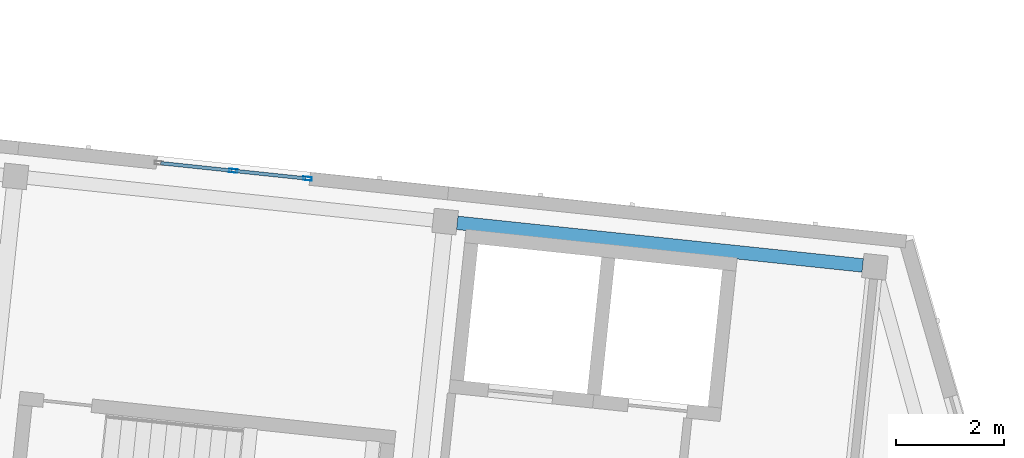
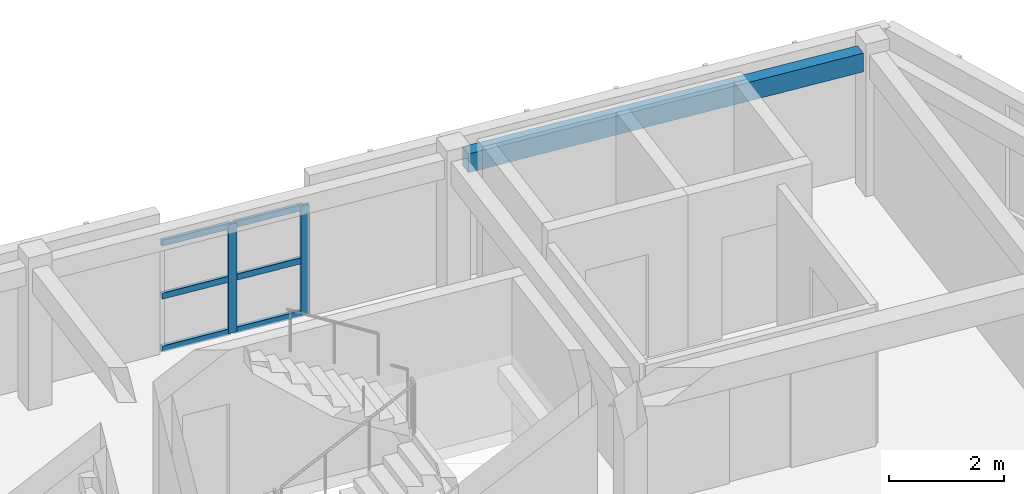
# One storey, part 16 of 64: 8 members, 1 beam, 1 element without a shape of its own.
"""IFC4 building model written with IfcOpenShell, lengths in metres."""

from ifc_helpers import new_model, si_unit, direction, frame, origin, origin_2d, place, context, subcontext, project, spatial, rectangle, hollow_rectangle, extrude, material, material_profile, profile_set, type_object, element, aggregate, save


model = new_model("IFC4")

# Units and contexts
model_context = context("Model", 3, precision=1e-05, world=origin(), true_north=direction((0.0, 1.0)))
body_context = subcontext(model_context, "Body", "Model", "MODEL_VIEW")
ifc_project = project(units=[si_unit("LENGTHUNIT", "METRE"), si_unit("AREAUNIT", "SQUARE_METRE"), si_unit("VOLUMEUNIT", "CUBIC_METRE"), si_unit("PLANEANGLEUNIT", "RADIAN"), si_unit("MASSUNIT", "GRAM", prefix="KILO")], contexts=[model_context])

# Site, building, storey
site_placement = place(None, origin())
site = spatial("IfcSite", under=ifc_project, at=site_placement, CompositionType="ELEMENT")
building_placement = place(site_placement, origin())
building = spatial("IfcBuilding", under=site, at=building_placement, Name="Kestramere Prow Commons", CompositionType="ELEMENT")
storey_placement = place(building_placement, frame((0.0, 0.0, 24.64990234375)))
storey = spatial("IfcBuildingStorey", under=building, at=storey_placement, Name="L07", CompositionType="ELEMENT", Elevation=24.64990234375)

# Curtain wall, members
ifc_material_1 = material(Name="Anodised Aluminium and Low-E Glass", Category="aluminium")
curtain_wall_type = type_object("IfcCurtainWallType", Name="CW-03 Glazed Curtain Wall 2830x2320", PredefinedType="USERDEFINED", material=ifc_material_1)
curtain_wall_placement = place(storey_placement, origin())
curtain_wall = element("IfcCurtainWall", 1, at=curtain_wall_placement, inside=storey, type_object=curtain_wall_type, Name="Block B L07 Stairwell Vertical Glazing 5", ObjectType="GLAZED CURTAIN WALL", PredefinedType="USERDEFINED")
ifc_material_2 = material(Name="Anodised Aluminium 6063-T6", Category="aluminium")
ifc_material_profile_1 = material_profile(ifc_material_2, hollow_rectangle(XDim=0.06494140625, YDim=0.159912109375, WallThickness=0.00390625, at=origin_2d()), Name="ALU-MUL 65x160")
ifc_profile_set_1 = profile_set([ifc_material_profile_1], Name="Anodised Aluminium 6063-T6")
member_type_1 = type_object("IfcMemberType", Name="CW-MUL-65x160", PredefinedType="MULLION", material=ifc_profile_set_1)
member_1_placement = place(storey_placement, frame((147.906494140625, 111.0517578125, 0.0), z_axis=(0.0, 0.0, 1.0), x_axis=(0.104528269348, 0.99452191575, 0.0)))
member_1 = element("IfcMember", 2, at=member_1_placement, type_object=member_type_1, Name="CW-03 mullion 2", PredefinedType="MULLION", context=body_context, shape_type="SweptSolid", body=[
    extrude(hollow_rectangle(XDim=0.06494140625, YDim=0.159912109375, WallThickness=0.00390625, at=origin_2d()), origin(), (0.0, 0.0, 1.0), 2.320068359375),
])
member_2_placement = place(storey_placement, frame((149.28125, 110.9072265625, 0.0), z_axis=(0.0, 0.0, 1.0), x_axis=(0.104528269348, 0.99452191575, 0.0)))
member_2 = element("IfcMember", 3, at=member_2_placement, type_object=member_type_1, Name="CW-03 mullion 3", PredefinedType="MULLION", context=body_context, shape_type="SweptSolid", body=[
    extrude(hollow_rectangle(XDim=0.06494140625, YDim=0.159912109375, WallThickness=0.00390625, at=origin_2d()), origin(), (0.0, 0.0, 1.0), 2.320068359375),
])
ifc_material_profile_2 = material_profile(ifc_material_2, hollow_rectangle(XDim=0.06494140625, YDim=0.1298828125, WallThickness=0.00390625, at=origin_2d()), Name="ALU-TRN 65x130")
ifc_profile_set_2 = profile_set([ifc_material_profile_2], Name="Anodised Aluminium 6063-T6")
member_type_2 = type_object("IfcMemberType", Name="CW-TRN-65x130", PredefinedType="USERDEFINED", material=ifc_profile_set_2)
member_3_placement = place(storey_placement, frame((146.563720703125, 111.19287109375, 0.03271484375), z_axis=(0.994523714271, -0.104511156111, 0.0), x_axis=(0.104511156111, 0.994523714271, 0.0)))
member_3 = element("IfcMember", 4, at=member_3_placement, type_object=member_type_2, Name="CW-03 transom 1.1", ObjectType="TRANSOM", PredefinedType="USERDEFINED", context=body_context, shape_type="SweptSolid", body=[
    extrude(hollow_rectangle(XDim=0.06494140625, YDim=0.1298828125, WallThickness=0.00390625, at=origin_2d()), origin(), (0.0, 0.0, 1.0), 1.317626953125),
])
member_4_placement = place(storey_placement, frame((146.563720703125, 111.19287109375, 1.16015625), z_axis=(0.994523714271, -0.104511156111, 0.0), x_axis=(0.104511156111, 0.994523714271, 0.0)))
member_4 = element("IfcMember", 5, at=member_4_placement, type_object=member_type_2, Name="CW-03 transom 1.2", ObjectType="TRANSOM", PredefinedType="USERDEFINED", context=body_context, shape_type="SweptSolid", body=[
    extrude(hollow_rectangle(XDim=0.06494140625, YDim=0.1298828125, WallThickness=0.00390625, at=origin_2d()), origin(), (0.0, 0.0, 1.0), 1.317626953125),
])
member_5_placement = place(storey_placement, frame((146.563720703125, 111.19287109375, 2.28759765625), z_axis=(0.994523714271, -0.104511156111, 0.0), x_axis=(0.104511156111, 0.994523714271, 0.0)))
member_5 = element("IfcMember", 6, at=member_5_placement, type_object=member_type_2, Name="CW-03 transom 1.3", ObjectType="TRANSOM", PredefinedType="USERDEFINED", context=body_context, shape_type="SweptSolid", body=[
    extrude(hollow_rectangle(XDim=0.06494140625, YDim=0.1298828125, WallThickness=0.00390625, at=origin_2d()), origin(), (0.0, 0.0, 1.0), 1.317626953125),
])
member_6_placement = place(storey_placement, frame((147.938720703125, 111.04833984375, 0.03271484375), z_axis=(0.994523714271, -0.104511156111, 0.0), x_axis=(0.104511156111, 0.994523714271, 0.0)))
member_6 = element("IfcMember", 7, at=member_6_placement, type_object=member_type_2, Name="CW-03 transom 2.1", ObjectType="TRANSOM", PredefinedType="USERDEFINED", context=body_context, shape_type="SweptSolid", body=[
    extrude(hollow_rectangle(XDim=0.06494140625, YDim=0.1298828125, WallThickness=0.00390625, at=origin_2d()), origin(), (0.0, 0.0, 1.0), 1.317626953125),
])
member_7_placement = place(storey_placement, frame((147.938720703125, 111.04833984375, 1.16015625), z_axis=(0.994523714271, -0.104511156111, 0.0), x_axis=(0.104511156111, 0.994523714271, 0.0)))
member_7 = element("IfcMember", 8, at=member_7_placement, type_object=member_type_2, Name="CW-03 transom 2.2", ObjectType="TRANSOM", PredefinedType="USERDEFINED", context=body_context, shape_type="SweptSolid", body=[
    extrude(hollow_rectangle(XDim=0.06494140625, YDim=0.1298828125, WallThickness=0.00390625, at=origin_2d()), origin(), (0.0, 0.0, 1.0), 1.317626953125),
])
member_8_placement = place(storey_placement, frame((147.938720703125, 111.04833984375, 2.28759765625), z_axis=(0.994523714271, -0.104511156111, 0.0), x_axis=(0.104511156111, 0.994523714271, 0.0)))
member_8 = element("IfcMember", 9, at=member_8_placement, type_object=member_type_2, Name="CW-03 transom 2.3", ObjectType="TRANSOM", PredefinedType="USERDEFINED", context=body_context, shape_type="SweptSolid", body=[
    extrude(hollow_rectangle(XDim=0.06494140625, YDim=0.1298828125, WallThickness=0.00390625, at=origin_2d()), origin(), (0.0, 0.0, 1.0), 1.317626953125),
])
aggregate(curtain_wall, [member_1, member_2, member_3, member_4, member_5, member_6, member_7, member_8])

# Beam
ifc_material_3 = material(Name="Precast concrete C40/50", Category="concrete")
ifc_material_profile_3 = material_profile(ifc_material_3, rectangle(XDim=0.25, YDim=0.39990234375, at=origin_2d()), Name="PC-SP 250x400")
ifc_profile_set_3 = profile_set([ifc_material_profile_3], Name="Precast concrete C40/50")
beam_type = type_object("IfcBeamType", Name="SP-EXT-01 PC-SP 250x400", PredefinedType="SPANDREL", material=ifc_profile_set_3)
beam_placement = place(storey_placement, frame((152.053466796875, 110.087890625, 2.800048828125), z_axis=(0.994523511366, -0.104513086937, 0.0), x_axis=(0.104513086937, 0.994523511366, 0.0)))
element("IfcBeam", 10, at=beam_placement, inside=storey, type_object=beam_type, Name="Block B L07 Longitudinal Beam 4-6", PredefinedType="SPANDREL", context=body_context, shape_type="SweptSolid", body=[
    extrude(rectangle(XDim=0.25, YDim=0.39990234375, at=origin_2d()), origin(), (0.0, 0.0, 1.0), 7.5498046875),
])

save(model, "model.ifc")
